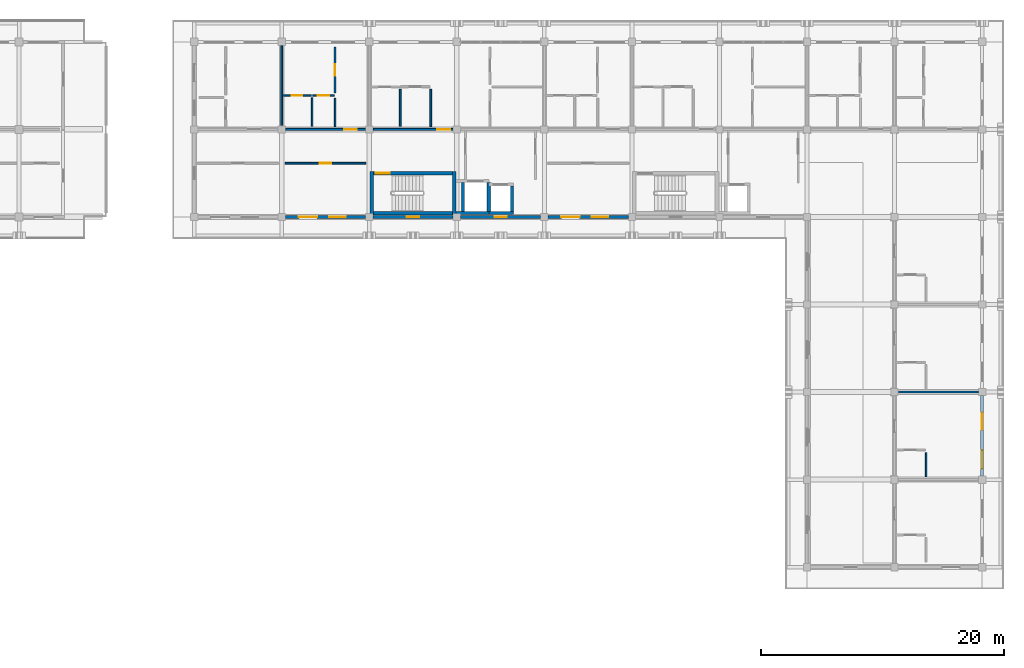
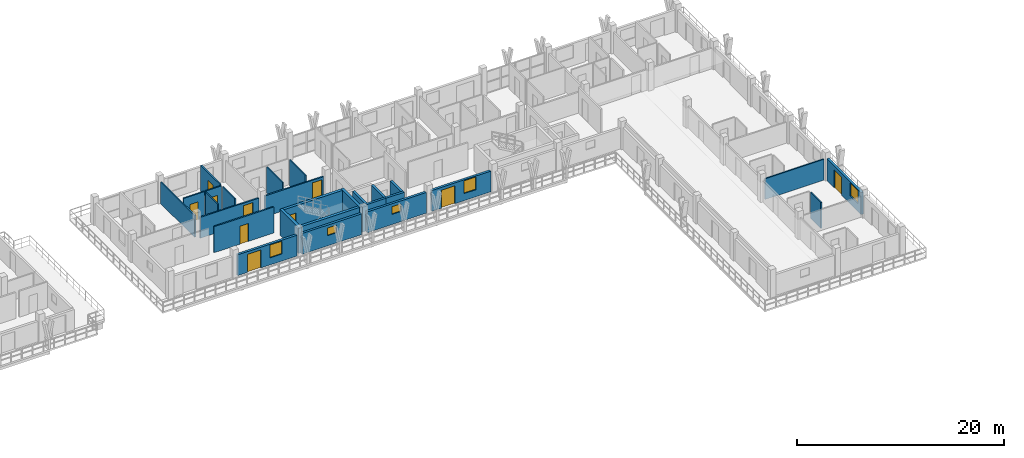
# One storey, part 54 of 75: 27 walls, 10 doors, 5 windows, 15 openings.
"""IFC4 building model written with IfcOpenShell, lengths in metres."""

from ifc_helpers import new_model, si_unit, direction, frame, frame_2d, origin, place, context, subcontext, project, spatial, rectangle, extrude, material, layer, layer_set, type_object, element, fill, save


model = new_model("IFC4")

# Units and contexts
model_context = context("Model", 3, precision=1e-05, world=origin(), true_north=direction((0.0, 1.0)))
body_context = subcontext(model_context, "Body", "Model", "MODEL_VIEW")
ifc_project = project(units=[si_unit("LENGTHUNIT", "METRE"), si_unit("AREAUNIT", "SQUARE_METRE"), si_unit("VOLUMEUNIT", "CUBIC_METRE"), si_unit("PLANEANGLEUNIT", "RADIAN"), si_unit("MASSUNIT", "GRAM", prefix="KILO")], contexts=[model_context])

# Site, building, storey
site_placement = place(None, origin())
site = spatial("IfcSite", under=ifc_project, at=site_placement, CompositionType="ELEMENT")
building_placement = place(site_placement, origin())
building = spatial("IfcBuilding", under=site, at=building_placement, Name="Suanplinth Sawtooth Commons", CompositionType="ELEMENT")
storey_placement = place(building_placement, frame((0.0, 0.0, 18.60009765625)))
storey = spatial("IfcBuildingStorey", under=building, at=storey_placement, Name="L05", CompositionType="ELEMENT", Elevation=18.60009765625)

# Wall
ifc_material_1 = material(Name="Concrete C40/50", Category="concrete")
ifc_layer_1 = layer(ifc_material_1, 0.300048828125, Name="Standard RC stair and lift core wall 300mm")
ifc_layer_set_1 = layer_set([ifc_layer_1], Name="Concrete C40/50")
wall_type_1 = type_object("IfcWallType", Name="W-CR02", PredefinedType="SHEAR", material=ifc_layer_set_1)
wall_1_placement = place(storey_placement, frame((137.14990234375, 108.300048828125, 0.0), z_axis=(0.0, 0.0, 1.0), x_axis=(1.0, 0.0, 0.0)))
element("IfcWall", 1, at=wall_1_placement, inside=storey, type_object=wall_type_1, Name="W-L05-C-B1-STS", PredefinedType="SHEAR", context=body_context, shape_type="SweptSolid", body=[
    extrude(rectangle(XDim=6.5, YDim=0.300048828125, at=frame_2d((3.25, 0.0))), origin(), (0.0, 0.0, 1.0), 3.059814453125),
])

# Wall, opening, door
wall_2_placement = place(storey_placement, frame((137.14990234375, 111.60009765625, 0.0), z_axis=(0.0, 0.0, 1.0), x_axis=(1.0, 0.0, 0.0)))
wall_2 = element("IfcWall", 2, at=wall_2_placement, inside=storey, type_object=wall_type_1, Name="W-L05-C-B1-STN", PredefinedType="SHEAR", context=body_context, shape_type="SweptSolid", body=[
    extrude(rectangle(XDim=6.5, YDim=0.300048828125, at=frame_2d((3.25, 0.0))), origin(), (0.0, 0.0, 1.0), 3.059814453125),
])
opening_1_placement = place(wall_2_placement, frame((0.179931640625, 0.0, 0.0)))
opening_1 = element("IfcOpeningElement", 3, at=opening_1_placement, cuts=wall_2, Name="Opening FD0184", PredefinedType="OPENING", context=body_context, shape_type="SweptSolid", body=[
    extrude(rectangle(XDim=1.14990234375, YDim=2.199951171875, at=frame_2d((0.574951171875, 1.10009765625))), frame((0.0, 0.1650390625, 0.0), z_axis=(0.0, -1.0, 0.0), x_axis=(1.0, 0.0, 0.0)), (0.0, 0.0, 1.0), 0.329833984375),
])
ifc_material_2 = material(Name="Teak hardwood fire-rated door assembly", Category="wood")
door_type_1 = type_object("IfcDoorType", Name="FD-01", OperationType="NOTDEFINED", PredefinedType="DOOR", material=ifc_material_2)
door_1_placement = place(opening_1_placement, frame((1.14990234375, 0.0, 0.0), z_axis=(0.0, 0.0, 1.0), x_axis=(-1.0, 0.0, 0.0)))
door_1 = element("IfcDoor", 4, at=door_1_placement, inside=storey, type_object=door_type_1, Name="Exit Stair Fire Door FD0184", OperationType="SINGLE_SWING_RIGHT", OverallHeight=2.199951171875, OverallWidth=1.14990234375, PredefinedType="DOOR", context=body_context, shape_type="SweptSolid", body=[
    extrude(rectangle(XDim=1.14990234375, YDim=2.199951171875, at=frame_2d((0.574951171875, 1.10009765625))), frame((0.0, 0.02490234375, 0.0), z_axis=(0.0, -1.0, 0.0), x_axis=(1.0, 0.0, 0.0)), (0.0, 0.0, 1.0), 0.050048828125),
])
fill(opening_1, door_1)

# Walls
for number, where, z_axis, x_axis, name in (
    (5, (137.0, 108.14990234375, 0.0), (0.0, 0.0, 1.0), (0.0, 1.0, 0.0), "W-L05-C-B1-STW"),
    (6, (143.800048828125, 108.14990234375, 0.0), (0.0, 0.0, 1.0), (0.0, 1.0, 0.0), "W-L05-C-B1-STE"),
):
    element("IfcWall", number, at=place(storey_placement, frame(where, z_axis=z_axis, x_axis=x_axis)), inside=storey, type_object=wall_type_1, Name=name, PredefinedType="SHEAR", context=body_context, shape_type="SweptSolid", body=[
        extrude(rectangle(XDim=3.60009765625, YDim=0.300048828125, at=frame_2d((1.800048828125, 0.0))), origin(), (0.0, 0.0, 1.0), 3.059814453125),
    ])

# Wall, openings, door, window
ifc_material_3 = material(Name="Precast concrete C40/50", Category="concrete")
ifc_layer_2 = layer(ifc_material_3, 0.260009765625, Name="Insulated precast courtyard facade wall 260mm")
ifc_layer_set_2 = layer_set([ifc_layer_2], Name="Precast concrete C40/50")
wall_type_2 = type_object("IfcWallType", Name="W-EX02", PredefinedType="ELEMENTEDWALL", material=ifc_layer_set_2)
wall_3_placement = place(storey_placement, frame((129.89990234375, 108.0, 0.0), z_axis=(0.0, 0.0, 1.0), x_axis=(1.0, 0.0, 0.0)))
wall_3 = element("IfcWall", 7, at=wall_3_placement, inside=storey, type_object=wall_type_2, Name="Facade Wall W-L05-B-S-18-15", PredefinedType="ELEMENTEDWALL", context=body_context, shape_type="SweptSolid", body=[
    extrude(rectangle(XDim=6.60009765625, YDim=0.260009765625, at=frame_2d((3.300048828125, 0.0))), origin(), (0.0, 0.0, 1.0), 2.44482421875),
])
opening_2_placement = place(wall_3_placement, frame((1.10009765625, 0.0, 0.0)))
opening_2 = element("IfcOpeningElement", 8, at=opening_2_placement, cuts=wall_3, Name="Opening ED0424", PredefinedType="OPENING", context=body_context, shape_type="SweptSolid", body=[
    extrude(rectangle(XDim=1.5, YDim=2.1201171875, at=frame_2d((0.75, 1.06005859375))), frame((0.0, 0.14501953125, 0.0), z_axis=(0.0, -1.0, 0.0), x_axis=(1.0, 0.0, 0.0)), (0.0, 0.0, 1.0), 0.289794921875),
])
opening_3_placement = place(wall_3_placement, frame((3.60009765625, 0.0, 0.8349609375)))
opening_3 = element("IfcOpeningElement", 9, at=opening_3_placement, cuts=wall_3, Name="Opening W0513", PredefinedType="OPENING", context=body_context, shape_type="SweptSolid", body=[
    extrude(rectangle(XDim=1.35009765625, YDim=1.5, at=frame_2d((0.675048828125, 0.75))), frame((0.0, 0.14501953125, 0.0), z_axis=(0.0, -1.0, 0.0), x_axis=(1.0, 0.0, 0.0)), (0.0, 0.0, 1.0), 0.289794921875),
])
ifc_material_4 = material(Name="Anodized aluminium and low-E glass", Category="aluminium")
door_type_2 = type_object("IfcDoorType", Name="SD-03", OperationType="SLIDING_TO_LEFT", PredefinedType="DOOR", material=ifc_material_4)
door_2_placement = place(opening_2_placement, frame((1.5, 0.0, 0.0), z_axis=(0.0, 0.0, 1.0), x_axis=(-1.0, 0.0, 0.0)))
door_2 = element("IfcDoor", 10, at=door_2_placement, inside=storey, type_object=door_type_2, Name="Courtyard Balcony Door L05-B-18", OperationType="SLIDING_TO_LEFT", OverallHeight=2.1201171875, OverallWidth=1.5, PredefinedType="DOOR", context=body_context, shape_type="SweptSolid", body=[
    extrude(rectangle(XDim=1.5, YDim=2.1201171875, at=frame_2d((0.75, 1.06005859375))), frame((0.0, 0.02490234375, 0.0), z_axis=(0.0, -1.0, 0.0), x_axis=(1.0, 0.0, 0.0)), (0.0, 0.0, 1.0), 0.050048828125),
])
fill(opening_2, door_2)
ifc_material_5 = material(Name="Thermally broken aluminium and low-E double glazing", Category="aluminium")
window_type_1 = type_object("IfcWindowType", Name="WN-14", PartitioningType="SINGLE_PANEL", PredefinedType="WINDOW", material=ifc_material_5)
window_1_placement = place(opening_3_placement, origin())
window_1 = element("IfcWindow", 11, at=window_1_placement, inside=storey, type_object=window_type_1, Name="Courtyard Window L05-B-18", OverallHeight=1.5, OverallWidth=1.35009765625, PartitioningType="SINGLE_PANEL", PredefinedType="WINDOW", context=body_context, shape_type="SweptSolid", body=[
    extrude(rectangle(XDim=1.35009765625, YDim=1.5, at=frame_2d((0.675048828125, 0.75))), frame((0.0, 0.030029296875, 0.0), z_axis=(0.0, -1.0, 0.0), x_axis=(1.0, 0.0, 0.0)), (0.0, 0.0, 1.0), 0.06005859375),
])
fill(opening_3, window_1)

# Wall, opening, window
wall_4_placement = place(storey_placement, frame((137.10009765625, 108.0, 0.0), z_axis=(0.0, 0.0, 1.0), x_axis=(1.0, 0.0, 0.0)))
wall_4 = element("IfcWall", 12, at=wall_4_placement, inside=storey, type_object=wall_type_2, Name="Facade Wall W-L05-B-S-19-15", PredefinedType="ELEMENTEDWALL", context=body_context, shape_type="SweptSolid", body=[
    extrude(rectangle(XDim=6.599853515625, YDim=0.260009765625, at=frame_2d((3.2998046875, 0.0))), origin(), (0.0, 0.0, 1.0), 2.44482421875),
])
opening_4_placement = place(wall_4_placement, frame((2.800048828125, 0.0, 1.199951171875)))
opening_4 = element("IfcOpeningElement", 13, at=opening_4_placement, cuts=wall_4, Name="Opening W0515", PredefinedType="OPENING", context=body_context, shape_type="SweptSolid", body=[
    extrude(rectangle(XDim=1.0, YDim=0.89990234375, at=frame_2d((0.5, 0.449951171875))), frame((0.0, 0.14501953125, 0.0), z_axis=(0.0, -1.0, 0.0), x_axis=(1.0, 0.0, 0.0)), (0.0, 0.0, 1.0), 0.289794921875),
])
window_type_2 = type_object("IfcWindowType", Name="WN-12", PartitioningType="SINGLE_PANEL", PredefinedType="WINDOW", material=ifc_material_5)
window_2_placement = place(opening_4_placement, origin())
window_2 = element("IfcWindow", 14, at=window_2_placement, inside=storey, type_object=window_type_2, Name="Core Daylight Window L05-B-19-15", OverallHeight=0.89990234375, OverallWidth=1.0, PartitioningType="SINGLE_PANEL", PredefinedType="WINDOW", context=body_context, shape_type="SweptSolid", body=[
    extrude(rectangle(XDim=1.0, YDim=0.89990234375, at=frame_2d((0.5, 0.449951171875))), frame((0.0, 0.030029296875, 0.0), z_axis=(0.0, -1.0, 0.0), x_axis=(1.0, 0.0, 0.0)), (0.0, 0.0, 1.0), 0.06005859375),
])
fill(opening_4, window_2)

wall_5_placement = place(storey_placement, frame((144.300048828125, 108.0, 0.0), z_axis=(0.0, 0.0, 1.0), x_axis=(1.0, 0.0, 0.0)))
wall_5 = element("IfcWall", 15, at=wall_5_placement, inside=storey, type_object=wall_type_2, Name="Facade Wall W-L05-B-S-20-15", PredefinedType="ELEMENTEDWALL", context=body_context, shape_type="SweptSolid", body=[
    extrude(rectangle(XDim=6.599853515625, YDim=0.260009765625, at=frame_2d((3.2998046875, 0.0))), origin(), (0.0, 0.0, 1.0), 2.44482421875),
])
opening_5_placement = place(wall_5_placement, frame((2.800048828125, 0.0, 1.199951171875)))
opening_5 = element("IfcOpeningElement", 16, at=opening_5_placement, cuts=wall_5, Name="Opening W0517", PredefinedType="OPENING", context=body_context, shape_type="SweptSolid", body=[
    extrude(rectangle(XDim=1.0, YDim=0.89990234375, at=frame_2d((0.5, 0.449951171875))), frame((0.0, 0.14501953125, 0.0), z_axis=(0.0, -1.0, 0.0), x_axis=(1.0, 0.0, 0.0)), (0.0, 0.0, 1.0), 0.289794921875),
])
window_3_placement = place(opening_5_placement, origin())
window_3 = element("IfcWindow", 17, at=window_3_placement, inside=storey, type_object=window_type_2, Name="Core Daylight Window L05-B-20-15", OverallHeight=0.89990234375, OverallWidth=1.0, PartitioningType="SINGLE_PANEL", PredefinedType="WINDOW", context=body_context, shape_type="SweptSolid", body=[
    extrude(rectangle(XDim=1.0, YDim=0.89990234375, at=frame_2d((0.5, 0.449951171875))), frame((0.0, 0.030029296875, 0.0), z_axis=(0.0, -1.0, 0.0), x_axis=(1.0, 0.0, 0.0)), (0.0, 0.0, 1.0), 0.06005859375),
])
fill(opening_5, window_3)

# Wall, openings, door, window
wall_6_placement = place(storey_placement, frame((151.5, 108.0, 0.0), z_axis=(0.0, 0.0, 1.0), x_axis=(1.0, 0.0, 0.0)))
wall_6 = element("IfcWall", 18, at=wall_6_placement, inside=storey, type_object=wall_type_2, Name="Facade Wall W-L05-B-S-21-15", PredefinedType="ELEMENTEDWALL", context=body_context, shape_type="SweptSolid", body=[
    extrude(rectangle(XDim=6.60009765625, YDim=0.260009765625, at=frame_2d((3.300048828125, 0.0))), origin(), (0.0, 0.0, 1.0), 2.44482421875),
])
opening_6_placement = place(wall_6_placement, frame((1.10009765625, 0.0, 0.0)))
opening_6 = element("IfcOpeningElement", 19, at=opening_6_placement, cuts=wall_6, Name="Opening ED0427", PredefinedType="OPENING", context=body_context, shape_type="SweptSolid", body=[
    extrude(rectangle(XDim=1.5, YDim=2.1201171875, at=frame_2d((0.75, 1.06005859375))), frame((0.0, 0.14501953125, 0.0), z_axis=(0.0, -1.0, 0.0), x_axis=(1.0, 0.0, 0.0)), (0.0, 0.0, 1.0), 0.289794921875),
])
opening_7_placement = place(wall_6_placement, frame((3.60009765625, 0.0, 0.8349609375)))
opening_7 = element("IfcOpeningElement", 20, at=opening_7_placement, cuts=wall_6, Name="Opening W0518", PredefinedType="OPENING", context=body_context, shape_type="SweptSolid", body=[
    extrude(rectangle(XDim=1.35009765625, YDim=1.5, at=frame_2d((0.675048828125, 0.75))), frame((0.0, 0.14501953125, 0.0), z_axis=(0.0, -1.0, 0.0), x_axis=(1.0, 0.0, 0.0)), (0.0, 0.0, 1.0), 0.289794921875),
])
door_3_placement = place(opening_6_placement, frame((1.5, 0.0, 0.0), z_axis=(0.0, 0.0, 1.0), x_axis=(-1.0, 0.0, 0.0)))
door_3 = element("IfcDoor", 21, at=door_3_placement, inside=storey, type_object=door_type_2, Name="Courtyard Balcony Door L05-B-21", OperationType="SLIDING_TO_LEFT", OverallHeight=2.1201171875, OverallWidth=1.5, PredefinedType="DOOR", context=body_context, shape_type="SweptSolid", body=[
    extrude(rectangle(XDim=1.5, YDim=2.1201171875, at=frame_2d((0.75, 1.06005859375))), frame((0.0, 0.02490234375, 0.0), z_axis=(0.0, -1.0, 0.0), x_axis=(1.0, 0.0, 0.0)), (0.0, 0.0, 1.0), 0.050048828125),
])
fill(opening_6, door_3)
window_4_placement = place(opening_7_placement, origin())
window_4 = element("IfcWindow", 22, at=window_4_placement, inside=storey, type_object=window_type_1, Name="Courtyard Window L05-B-21", OverallHeight=1.5, OverallWidth=1.35009765625, PartitioningType="SINGLE_PANEL", PredefinedType="WINDOW", context=body_context, shape_type="SweptSolid", body=[
    extrude(rectangle(XDim=1.35009765625, YDim=1.5, at=frame_2d((0.675048828125, 0.75))), frame((0.0, 0.030029296875, 0.0), z_axis=(0.0, -1.0, 0.0), x_axis=(1.0, 0.0, 0.0)), (0.0, 0.0, 1.0), 0.06005859375),
])
fill(opening_7, window_4)

wall_7_placement = place(storey_placement, frame((187.199951171875, 86.699951171875, 0.0), z_axis=(0.0, 0.0, 1.0), x_axis=(0.0, 1.0, 0.0)))
wall_7 = element("IfcWall", 23, at=wall_7_placement, inside=storey, type_object=wall_type_2, Name="Facade Wall W-L05-B-E-25-12", PredefinedType="ELEMENTEDWALL", context=body_context, shape_type="SweptSolid", body=[
    extrude(rectangle(XDim=6.60009765625, YDim=0.260009765625, at=frame_2d((3.300048828125, 0.0))), origin(), (0.0, 0.0, 1.0), 2.594970703125),
])
opening_8_placement = place(wall_7_placement, frame((3.800048828125, 0.0, 0.0)))
opening_8 = element("IfcOpeningElement", 24, at=opening_8_placement, cuts=wall_7, Name="Opening ED0437", PredefinedType="OPENING", context=body_context, shape_type="SweptSolid", body=[
    extrude(rectangle(XDim=1.39990234375, YDim=2.10009765625, at=frame_2d((0.699951171875, 1.050048828125))), frame((0.0, 0.14501953125, 0.0), z_axis=(0.0, -1.0, 0.0), x_axis=(1.0, 0.0, 0.0)), (0.0, 0.0, 1.0), 0.289794921875),
])
opening_9_placement = place(wall_7_placement, frame((0.60009765625, 0.0, 0.949951171875)))
opening_9 = element("IfcOpeningElement", 25, at=opening_9_placement, cuts=wall_7, Name="Opening W0526", PredefinedType="OPENING", context=body_context, shape_type="SweptSolid", body=[
    extrude(rectangle(XDim=1.5, YDim=1.5, at=frame_2d((0.75, 0.75))), frame((0.0, 0.14501953125, 0.0), z_axis=(0.0, -1.0, 0.0), x_axis=(1.0, 0.0, 0.0)), (0.0, 0.0, 1.0), 0.289794921875),
])
door_type_3 = type_object("IfcDoorType", Name="SD-07", OperationType="SLIDING_TO_RIGHT", PredefinedType="DOOR", material=ifc_material_4)
door_4_placement = place(opening_8_placement, frame((1.39990234375, 0.0, 0.0), z_axis=(0.0, 0.0, 1.0), x_axis=(-1.0, 0.0, 0.0)))
door_4 = element("IfcDoor", 26, at=door_4_placement, inside=storey, type_object=door_type_3, Name="Wing Balcony Sliding Door L05-B-12", OperationType="SLIDING_TO_RIGHT", OverallHeight=2.10009765625, OverallWidth=1.39990234375, PredefinedType="DOOR", context=body_context, shape_type="SweptSolid", body=[
    extrude(rectangle(XDim=1.39990234375, YDim=2.10009765625, at=frame_2d((0.699951171875, 1.050048828125))), frame((0.0, 0.02490234375, 0.0), z_axis=(0.0, -1.0, 0.0), x_axis=(1.0, 0.0, 0.0)), (0.0, 0.0, 1.0), 0.050048828125),
])
fill(opening_8, door_4)
window_type_3 = type_object("IfcWindowType", Name="WN-02", PartitioningType="DOUBLE_PANEL_VERTICAL", PredefinedType="WINDOW", material=ifc_material_5)
window_5_placement = place(opening_9_placement, origin())
window_5 = element("IfcWindow", 27, at=window_5_placement, inside=storey, type_object=window_type_3, Name="Wing Window L05-B-12", OverallHeight=1.5, OverallWidth=1.5, PartitioningType="DOUBLE_PANEL_VERTICAL", PredefinedType="WINDOW", context=body_context, shape_type="SweptSolid", body=[
    extrude(rectangle(XDim=1.5, YDim=1.5, at=frame_2d((0.75, 0.75))), frame((0.0, 0.030029296875, 0.0), z_axis=(0.0, -1.0, 0.0), x_axis=(1.0, 0.0, 0.0)), (0.0, 0.0, 1.0), 0.06005859375),
])
fill(opening_9, window_5)

# Wall, opening, door
ifc_layer_3 = layer(ifc_material_3, 0.159912109375, Name="Fire-rated corridor and lobby wall 160mm")
ifc_layer_set_3 = layer_set([ifc_layer_3], Name="Precast concrete C40/50")
wall_type_3 = type_object("IfcWallType", Name="W-FW01", PredefinedType="PARTITIONING", material=ifc_layer_set_3)
wall_8_placement = place(storey_placement, frame((129.929931640625, 115.199951171875, 0.0), z_axis=(0.0, 0.0, 1.0), x_axis=(1.0, 0.0, 0.0)))
wall_8 = element("IfcWall", 28, at=wall_8_placement, inside=storey, type_object=wall_type_3, Name="W-B-L05-U02-COR", PredefinedType="PARTITIONING", context=body_context, shape_type="SweptSolid", body=[
    extrude(rectangle(XDim=6.5400390625, YDim=0.159912109375, at=frame_2d((3.27001953125, 0.0))), origin(), (0.0, 0.0, 1.0), 2.44482421875),
])
opening_10_placement = place(wall_8_placement, frame((4.794921875, 0.0, 0.0)))
opening_10 = element("IfcOpeningElement", 29, at=opening_10_placement, cuts=wall_8, Name="Opening FD1251", PredefinedType="OPENING", context=body_context, shape_type="SweptSolid", body=[
    extrude(rectangle(XDim=1.050048828125, YDim=2.14990234375, at=frame_2d((0.52490234375, 1.074951171875))), frame((0.0, 0.0947265625, 0.0), z_axis=(0.0, -1.0, 0.0), x_axis=(1.0, 0.0, 0.0)), (0.0, 0.0, 1.0), 0.189697265625),
])
door_type_4 = type_object("IfcDoorType", Name="FD-04", OperationType="NOTDEFINED", PredefinedType="DOOR", material=ifc_material_2)
door_5_placement = place(opening_10_placement, origin())
door_5 = element("IfcDoor", 30, at=door_5_placement, inside=storey, type_object=door_type_4, Name="Unit Entrance Door FD1251", OperationType="SINGLE_SWING_LEFT", OverallHeight=2.14990234375, OverallWidth=1.050048828125, PredefinedType="DOOR", context=body_context, shape_type="SweptSolid", body=[
    extrude(rectangle(XDim=1.050048828125, YDim=2.14990234375, at=frame_2d((0.52490234375, 1.074951171875))), frame((0.0, 0.02490234375, 0.0), z_axis=(0.0, -1.0, 0.0), x_axis=(1.0, 0.0, 0.0)), (0.0, 0.0, 1.0), 0.050048828125),
])
fill(opening_10, door_5)

wall_9_placement = place(storey_placement, frame((137.1298828125, 115.199951171875, 0.0), z_axis=(0.0, 0.0, 1.0), x_axis=(1.0, 0.0, 0.0)))
wall_9 = element("IfcWall", 31, at=wall_9_placement, inside=storey, type_object=wall_type_3, Name="W-B-L05-U03-COR-S1", PredefinedType="PARTITIONING", context=body_context, shape_type="SweptSolid", body=[
    extrude(rectangle(XDim=6.5400390625, YDim=0.159912109375, at=frame_2d((3.27001953125, 0.0))), origin(), (0.0, 0.0, 1.0), 2.44482421875),
])
opening_11_placement = place(wall_9_placement, frame((5.27490234375, 0.0, 0.0)))
opening_11 = element("IfcOpeningElement", 32, at=opening_11_placement, cuts=wall_9, Name="Opening FD1255", PredefinedType="OPENING", context=body_context, shape_type="SweptSolid", body=[
    extrude(rectangle(XDim=1.050048828125, YDim=2.14990234375, at=frame_2d((0.52490234375, 1.074951171875))), frame((0.0, 0.0947265625, 0.0), z_axis=(0.0, -1.0, 0.0), x_axis=(1.0, 0.0, 0.0)), (0.0, 0.0, 1.0), 0.189697265625),
])
door_6_placement = place(opening_11_placement, origin())
door_6 = element("IfcDoor", 33, at=door_6_placement, inside=storey, type_object=door_type_4, Name="Unit Entrance Door FD1255", OperationType="SINGLE_SWING_LEFT", OverallHeight=2.14990234375, OverallWidth=1.050048828125, PredefinedType="DOOR", context=body_context, shape_type="SweptSolid", body=[
    extrude(rectangle(XDim=1.050048828125, YDim=2.14990234375, at=frame_2d((0.52490234375, 1.074951171875))), frame((0.0, 0.02490234375, 0.0), z_axis=(0.0, -1.0, 0.0), x_axis=(1.0, 0.0, 0.0)), (0.0, 0.0, 1.0), 0.050048828125),
])
fill(opening_11, door_6)

wall_10_placement = place(storey_placement, frame((129.8798828125, 112.419921875, 0.0), z_axis=(0.0, 0.0, 1.0), x_axis=(1.0, 0.0, 0.0)))
wall_10 = element("IfcWall", 34, at=wall_10_placement, inside=storey, type_object=wall_type_3, Name="W-B-L05-COURTROOM-31-COR", PredefinedType="PARTITIONING", context=body_context, shape_type="SweptSolid", body=[
    extrude(rectangle(XDim=6.64013671875, YDim=0.159912109375, at=frame_2d((3.320068359375, 0.0))), origin(), (0.0, 0.0, 1.0), 3.059814453125),
])
opening_12_placement = place(wall_10_placement, frame((2.85009765625, 0.0, 0.0)))
opening_12 = element("IfcOpeningElement", 35, at=opening_12_placement, cuts=wall_10, Name="Opening D1277", PredefinedType="OPENING", context=body_context, shape_type="SweptSolid", body=[
    extrude(rectangle(XDim=0.93994140625, YDim=2.1201171875, at=frame_2d((0.469970703125, 1.06005859375))), frame((0.0, 0.0947265625, 0.0), z_axis=(0.0, -1.0, 0.0), x_axis=(1.0, 0.0, 0.0)), (0.0, 0.0, 1.0), 0.189697265625),
])
ifc_material_6 = material(Name="Teak hardwood", Category="wood")
door_type_5 = type_object("IfcDoorType", Name="D-15", OperationType="NOTDEFINED", PredefinedType="DOOR", material=ifc_material_6)
door_7_placement = place(opening_12_placement, frame((0.93994140625, 0.0, 0.0), z_axis=(0.0, 0.0, 1.0), x_axis=(-1.0, 0.0, 0.0)))
door_7 = element("IfcDoor", 36, at=door_7_placement, inside=storey, type_object=door_type_5, Name="Study Studio Door D1277", OperationType="SINGLE_SWING_LEFT", OverallHeight=2.1201171875, OverallWidth=0.93994140625, PredefinedType="DOOR", context=body_context, shape_type="SweptSolid", body=[
    extrude(rectangle(XDim=0.93994140625, YDim=2.1201171875, at=frame_2d((0.469970703125, 1.06005859375))), frame((0.0, 0.02490234375, 0.0), z_axis=(0.0, -1.0, 0.0), x_axis=(1.0, 0.0, 0.0)), (0.0, 0.0, 1.0), 0.050048828125),
])
fill(opening_12, door_7)

# Walls
ifc_layer_4 = layer(ifc_material_3, 0.14990234375, Name="Acoustic precast party demising wall 150mm")
ifc_layer_set_4 = layer_set([ifc_layer_4], Name="Precast concrete C40/50")
wall_type_4 = type_object("IfcWallType", Name="W-FW02", PredefinedType="PARTITIONING", material=ifc_layer_set_4)
wall_11_placement = place(storey_placement, frame((129.60009765625, 115.530029296875, 0.0), z_axis=(0.0, 0.0, 1.0), x_axis=(0.0, 1.0, 0.0)))
element("IfcWall", 37, at=wall_11_placement, inside=storey, type_object=wall_type_4, Name="W-B-L05-U01-PTY", PredefinedType="PARTITIONING", context=body_context, shape_type="SweptSolid", body=[
    extrude(rectangle(XDim=6.5400390625, YDim=0.14990234375, at=frame_2d((3.27001953125, 0.0))), origin(), (0.0, 0.0, 1.0), 2.544921875),
])
wall_12_placement = place(storey_placement, frame((180.330078125, 93.60009765625, 0.0), z_axis=(0.0, 0.0, 1.0), x_axis=(1.0, 0.0, 0.0)))
element("IfcWall", 38, at=wall_12_placement, inside=storey, type_object=wall_type_4, Name="W-B-L05-L02-PTY", PredefinedType="PARTITIONING", context=body_context, shape_type="SweptSolid", body=[
    extrude(rectangle(XDim=6.5400390625, YDim=0.14990234375, at=frame_2d((3.27001953125, 0.0))), origin(), (0.0, 0.0, 1.0), 2.44482421875),
])

# Wall, opening, door
ifc_material_7 = material(Name="Gypsum plasterboard on steel stud", Category="steel")
ifc_layer_5 = layer(ifc_material_7, 0.139892578125, Name="Fire-rated kitchen partition 140mm")
ifc_layer_set_5 = layer_set([ifc_layer_5], Name="Gypsum plasterboard on steel stud")
wall_type_5 = type_object("IfcWallType", Name="W-PT01", PredefinedType="PARTITIONING", material=ifc_layer_set_5)
wall_13_placement = place(storey_placement, frame((132.14990234375, 118.0, 0.0), z_axis=(0.0, 0.0, 1.0), x_axis=(1.0, 0.0, 0.0)))
wall_13 = element("IfcWall", 39, at=wall_13_placement, inside=storey, type_object=wall_type_5, Name="W-B-L05-U02-KIT1", PredefinedType="PARTITIONING", context=body_context, shape_type="SweptSolid", body=[
    extrude(rectangle(XDim=1.77001953125, YDim=0.139892578125, at=frame_2d((0.885009765625, 0.0))), origin(), (0.0, 0.0, 1.0), 3.059814453125),
])
opening_13_placement = place(wall_13_placement, frame((0.425048828125, 0.0, 0.0)))
opening_13 = element("IfcOpeningElement", 40, at=opening_13_placement, cuts=wall_13, Name="Opening D1253", PredefinedType="OPENING", context=body_context, shape_type="SweptSolid", body=[
    extrude(rectangle(XDim=0.919921875, YDim=2.10009765625, at=frame_2d((0.4599609375, 1.050048828125))), frame((0.0, 0.0849609375, 0.0), z_axis=(0.0, -1.0, 0.0), x_axis=(1.0, 0.0, 0.0)), (0.0, 0.0, 1.0), 0.169677734375),
])
door_type_6 = type_object("IfcDoorType", Name="D-02", OperationType="NOTDEFINED", PredefinedType="DOOR", material=ifc_material_6)
door_8_placement = place(opening_13_placement, frame((0.919921875, 0.0, 0.0), z_axis=(0.0, 0.0, 1.0), x_axis=(-1.0, 0.0, 0.0)))
door_8 = element("IfcDoor", 41, at=door_8_placement, inside=storey, type_object=door_type_6, Name="Kitchen Door D1253", OperationType="SINGLE_SWING_LEFT", OverallHeight=2.10009765625, OverallWidth=0.919921875, PredefinedType="DOOR", context=body_context, shape_type="SweptSolid", body=[
    extrude(rectangle(XDim=0.919921875, YDim=2.10009765625, at=frame_2d((0.4599609375, 1.050048828125))), frame((0.0, 0.02490234375, 0.0), z_axis=(0.0, -1.0, 0.0), x_axis=(1.0, 0.0, 0.0)), (0.0, 0.0, 1.0), 0.050048828125),
])
fill(opening_13, door_8)

# Walls
wall_14_placement = place(storey_placement, frame((133.989990234375, 115.429931640625, 0.0), z_axis=(0.0, 0.0, 1.0), x_axis=(0.0, 1.0, 0.0)))
element("IfcWall", 42, at=wall_14_placement, inside=storey, type_object=wall_type_5, Name="W-B-L05-U02-KIT2", PredefinedType="PARTITIONING", context=body_context, shape_type="SweptSolid", body=[
    extrude(rectangle(XDim=2.35009765625, YDim=0.139892578125, at=frame_2d((1.175048828125, 0.0))), origin(), (0.0, 0.0, 1.0), 3.059814453125),
])
wall_15_placement = place(storey_placement, frame((141.85009765625, 115.429931640625, 0.0), z_axis=(0.0, 0.0, 1.0), x_axis=(0.0, 1.0, 0.0)))
element("IfcWall", 43, at=wall_15_placement, inside=storey, type_object=wall_type_5, Name="W-B-L05-U03-KIT2", PredefinedType="PARTITIONING", context=body_context, shape_type="SweptSolid", body=[
    extrude(rectangle(XDim=3.06005859375, YDim=0.139892578125, at=frame_2d((1.530029296875, 0.0))), origin(), (0.0, 0.0, 1.0), 3.059814453125),
])

# Wall, opening, door
ifc_layer_6 = layer(ifc_material_7, 0.1298828125, Name="Moisture-resistant bathroom partition 130mm")
ifc_layer_set_6 = layer_set([ifc_layer_6], Name="Gypsum plasterboard on steel stud")
wall_type_6 = type_object("IfcWallType", Name="W-PT02", PredefinedType="PARTITIONING", material=ifc_layer_set_6)
wall_16_placement = place(storey_placement, frame((129.679931640625, 117.9951171875, 0.0), z_axis=(0.0, 0.0, 1.0), x_axis=(1.0, 0.0, 0.0)))
wall_16 = element("IfcWall", 44, at=wall_16_placement, inside=storey, type_object=wall_type_6, Name="W-B-L05-U02-BTH1", PredefinedType="PARTITIONING", context=body_context, shape_type="SweptSolid", body=[
    extrude(rectangle(XDim=2.35009765625, YDim=0.1298828125, at=frame_2d((1.175048828125, 0.0))), origin(), (0.0, 0.0, 1.0), 3.059814453125),
])
opening_14_placement = place(wall_16_placement, frame((0.72509765625, 0.0, 0.0)))
opening_14 = element("IfcOpeningElement", 45, at=opening_14_placement, cuts=wall_16, Name="Opening D1252", PredefinedType="OPENING", context=body_context, shape_type="SweptSolid", body=[
    extrude(rectangle(XDim=0.89990234375, YDim=2.10009765625, at=frame_2d((0.449951171875, 1.050048828125))), frame((0.0, 0.079833984375, 0.0), z_axis=(0.0, -1.0, 0.0), x_axis=(1.0, 0.0, 0.0)), (0.0, 0.0, 1.0), 0.15966796875),
])
door_type_7 = type_object("IfcDoorType", Name="D-01", OperationType="NOTDEFINED", PredefinedType="DOOR", material=ifc_material_6)
door_9_placement = place(opening_14_placement, frame((0.89990234375, 0.0, 0.0), z_axis=(0.0, 0.0, 1.0), x_axis=(-1.0, 0.0, 0.0)))
door_9 = element("IfcDoor", 46, at=door_9_placement, inside=storey, type_object=door_type_7, Name="Bathroom Door D1252", OperationType="SINGLE_SWING_RIGHT", OverallHeight=2.10009765625, OverallWidth=0.89990234375, PredefinedType="DOOR", context=body_context, shape_type="SweptSolid", body=[
    extrude(rectangle(XDim=0.89990234375, YDim=2.10009765625, at=frame_2d((0.449951171875, 1.050048828125))), frame((0.0, 0.02490234375, 0.0), z_axis=(0.0, -1.0, 0.0), x_axis=(1.0, 0.0, 0.0)), (0.0, 0.0, 1.0), 0.050048828125),
])
fill(opening_14, door_9)

# Walls
wall_17_placement = place(storey_placement, frame((132.094970703125, 115.4599609375, 0.0), z_axis=(0.0, 0.0, 1.0), x_axis=(0.0, 1.0, 0.0)))
element("IfcWall", 47, at=wall_17_placement, inside=storey, type_object=wall_type_6, Name="W-B-L05-U02-BTH2", PredefinedType="PARTITIONING", context=body_context, shape_type="SweptSolid", body=[
    extrude(rectangle(XDim=2.330078125, YDim=0.1298828125, at=frame_2d((1.1650390625, 0.0))), origin(), (0.0, 0.0, 1.0), 3.059814453125),
])
wall_18_placement = place(storey_placement, frame((139.344970703125, 115.4599609375, 0.0), z_axis=(0.0, 0.0, 1.0), x_axis=(0.0, 1.0, 0.0)))
element("IfcWall", 48, at=wall_18_placement, inside=storey, type_object=wall_type_6, Name="W-B-L05-U03-BTH2", PredefinedType="PARTITIONING", context=body_context, shape_type="SweptSolid", body=[
    extrude(rectangle(XDim=3.0400390625, YDim=0.1298828125, at=frame_2d((1.52001953125, 0.0))), origin(), (0.0, 0.0, 1.0), 3.059814453125),
])
wall_19_placement = place(storey_placement, frame((182.594970703125, 86.6298828125, 0.0), z_axis=(0.0, 0.0, 1.0), x_axis=(0.0, 1.0, 0.0)))
element("IfcWall", 49, at=wall_19_placement, inside=storey, type_object=wall_type_6, Name="W-B-L05-L02-BTH2", PredefinedType="PARTITIONING", context=body_context, shape_type="SweptSolid", body=[
    extrude(rectangle(XDim=2.0, YDim=0.1298828125, at=frame_2d((1.0, 0.0))), origin(), (0.0, 0.0, 1.0), 3.059814453125),
])

# Wall, opening, door
ifc_layer_7 = layer(ifc_material_7, 0.135009765625, Name="Insulated bedroom demising partition 135mm")
ifc_layer_set_7 = layer_set([ifc_layer_7], Name="Gypsum plasterboard on steel stud")
wall_type_7 = type_object("IfcWallType", Name="W-PT07", PredefinedType="PARTITIONING", material=ifc_layer_set_7)
wall_20_placement = place(storey_placement, frame((133.97998046875, 118.2099609375, 0.0), z_axis=(0.0, 0.0, 1.0), x_axis=(0.0, 1.0, 0.0)))
wall_20 = element("IfcWall", 50, at=wall_20_placement, inside=storey, type_object=wall_type_7, Name="W-B-L05-U02-BED1", PredefinedType="PARTITIONING", context=body_context, shape_type="SweptSolid", body=[
    extrude(rectangle(XDim=3.75, YDim=0.135009765625, at=frame_2d((1.875, 0.0))), origin(), (0.0, 0.0, 1.0), 3.059814453125),
])
opening_15_placement = place(wall_20_placement, frame((1.39990234375, 0.0, 0.0)))
opening_15 = element("IfcOpeningElement", 51, at=opening_15_placement, cuts=wall_20, Name="Opening D1254", PredefinedType="OPENING", context=body_context, shape_type="SweptSolid", body=[
    extrude(rectangle(XDim=0.949951171875, YDim=2.14990234375, at=frame_2d((0.47509765625, 1.074951171875))), frame((0.0, 0.08251953125, 0.0), z_axis=(0.0, -1.0, 0.0), x_axis=(1.0, 0.0, 0.0)), (0.0, 0.0, 1.0), 0.164794921875),
])
door_type_8 = type_object("IfcDoorType", Name="D-03", OperationType="NOTDEFINED", PredefinedType="DOOR", material=ifc_material_6)
door_10_placement = place(opening_15_placement, origin())
door_10 = element("IfcDoor", 52, at=door_10_placement, inside=storey, type_object=door_type_8, Name="Bedroom Door D1254", OperationType="SINGLE_SWING_RIGHT", OverallHeight=2.14990234375, OverallWidth=0.949951171875, PredefinedType="DOOR", context=body_context, shape_type="SweptSolid", body=[
    extrude(rectangle(XDim=0.949951171875, YDim=2.14990234375, at=frame_2d((0.47509765625, 1.074951171875))), frame((0.0, 0.02490234375, 0.0), z_axis=(0.0, -1.0, 0.0), x_axis=(1.0, 0.0, 0.0)), (0.0, 0.0, 1.0), 0.050048828125),
])
fill(opening_15, door_10)

# Walls
ifc_layer_8 = layer(ifc_material_3, 0.25, Name="Precast structural shear wall 250mm")
ifc_layer_set_8 = layer_set([ifc_layer_8], Name="Precast concrete C40/50")
wall_type_8 = type_object("IfcWallType", Name="W-SH01", PredefinedType="SHEAR", material=ifc_layer_set_8)
wall_21_placement = place(storey_placement, frame((143.949951171875, 108.324951171875, 0.0), z_axis=(0.0, 0.0, 1.0), x_axis=(1.0, 0.0, 0.0)))
element("IfcWall", 53, at=wall_21_placement, inside=storey, type_object=wall_type_8, Name="W-L05-FL2-S", PredefinedType="SHEAR", context=body_context, shape_type="SweptSolid", body=[
    extrude(rectangle(XDim=2.675048828125, YDim=0.25, at=frame_2d((1.33740234375, 0.0))), origin(), (0.0, 0.0, 1.0), 3.059814453125),
])
for number, where, z_axis, x_axis, name in (
    (54, (144.52490234375, 108.449951171875, 0.0), (0.0, 0.0, 1.0), (0.0, 1.0, 0.0), "W-L05-FL2-W"),
    (55, (146.625, 108.449951171875, 0.0), (0.0, 0.0, 1.0), (0.0, 1.0, 0.0), "W-L05-FL2-DIV"),
):
    element("IfcWall", number, at=place(storey_placement, frame(where, z_axis=z_axis, x_axis=x_axis)), inside=storey, type_object=wall_type_8, Name=name, PredefinedType="SHEAR", context=body_context, shape_type="SweptSolid", body=[
        extrude(rectangle(XDim=2.400146484375, YDim=0.25, at=frame_2d((1.2001953125, 0.0))), origin(), (0.0, 0.0, 1.0), 3.059814453125),
    ])
wall_22_placement = place(storey_placement, frame((146.625, 108.324951171875, 0.0), z_axis=(0.0, 0.0, 1.0), x_axis=(1.0, 0.0, 0.0)))
element("IfcWall", 56, at=wall_22_placement, inside=storey, type_object=wall_type_8, Name="W-L05-LF3-S", PredefinedType="SHEAR", context=body_context, shape_type="SweptSolid", body=[
    extrude(rectangle(XDim=2.02490234375, YDim=0.25, at=frame_2d((1.012451171875, 0.0))), origin(), (0.0, 0.0, 1.0), 3.059814453125),
])
wall_23_placement = place(storey_placement, frame((148.52490234375, 108.449951171875, 0.0), z_axis=(0.0, 0.0, 1.0), x_axis=(0.0, 1.0, 0.0)))
element("IfcWall", 57, at=wall_23_placement, inside=storey, type_object=wall_type_8, Name="W-L05-LF3-E", PredefinedType="SHEAR", context=body_context, shape_type="SweptSolid", body=[
    extrude(rectangle(XDim=2.10009765625, YDim=0.25, at=frame_2d((1.050048828125, 0.0))), origin(), (0.0, 0.0, 1.0), 3.059814453125),
])

save(model, "model.ifc")
